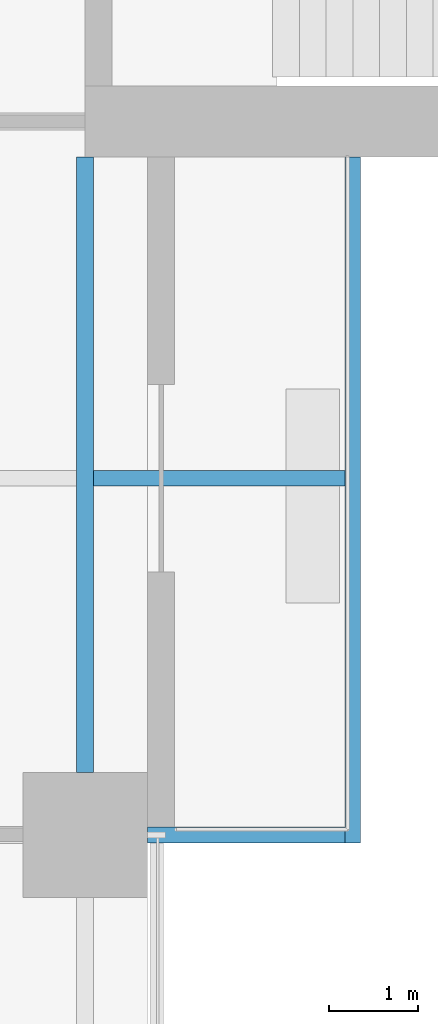
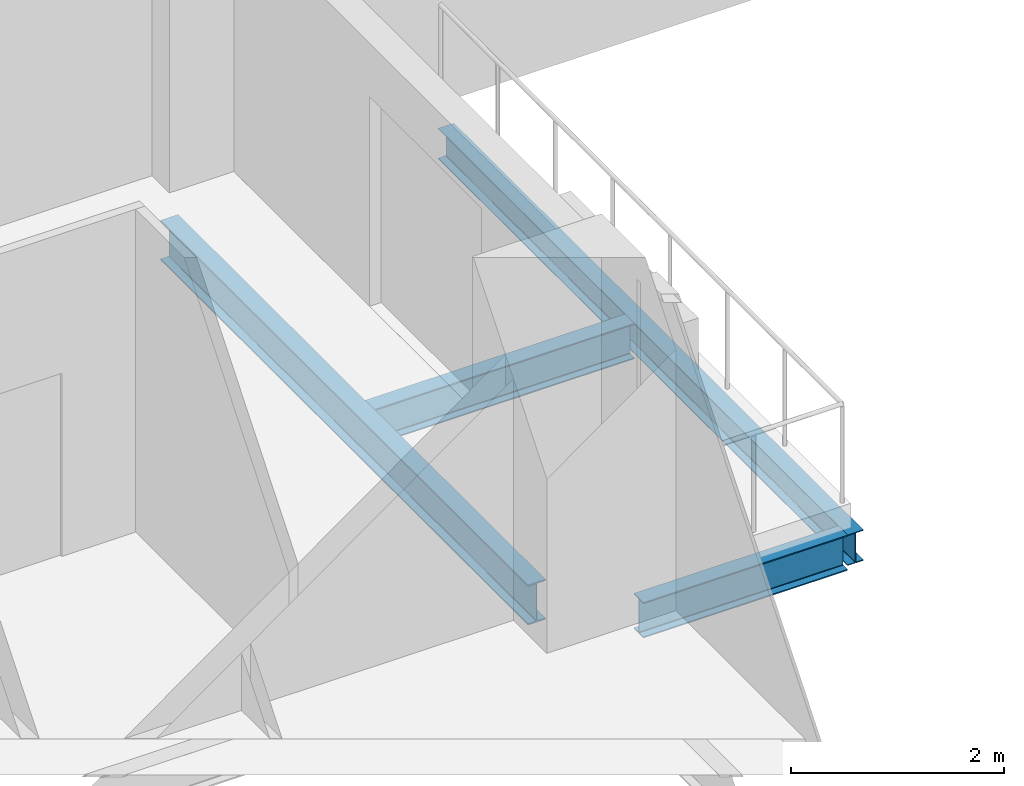
# One storey, part 5 of 27: 4 beams.
"""IFC4 building model written with IfcOpenShell, lengths in metres."""

from ifc_helpers import new_model, si_unit, direction, frame, origin, origin_2d, place, context, subcontext, project, spatial, i_section, extrude, material, material_profile, profile_set, type_object, element, save


model = new_model("IFC4")

# Units and contexts
model_context = context("Model", 3, precision=1e-05, world=origin(), true_north=direction((0.0, 1.0)))
body_context = subcontext(model_context, "Body", "Model", "MODEL_VIEW")
ifc_project = project(units=[si_unit("LENGTHUNIT", "METRE"), si_unit("AREAUNIT", "SQUARE_METRE"), si_unit("VOLUMEUNIT", "CUBIC_METRE"), si_unit("PLANEANGLEUNIT", "RADIAN"), si_unit("MASSUNIT", "GRAM", prefix="KILO")], contexts=[model_context])

# Site, building, storey
site_placement = place(None, origin())
site = spatial("IfcSite", under=ifc_project, at=site_placement, CompositionType="ELEMENT")
building_placement = place(site_placement, origin())
building = spatial("IfcBuilding", under=site, at=building_placement, Name="Crosswind Convention Tower", CompositionType="ELEMENT")
storey_placement = place(building_placement, frame((0.0, 0.0, 79.39990234375)))
storey = spatial("IfcBuildingStorey", under=building, at=storey_placement, Name="L14", CompositionType="ELEMENT", Elevation=79.39990234375)

# Beams
ifc_material = material(Name="Steel S355", Category="steel")
ifc_material_profile_1 = material_profile(ifc_material, i_section(OverallWidth=0.177734375, OverallDepth=0.406494140625, WebThickness=0.0078125, FlangeThickness=0.0126953125, FilletRadius=0.01025390625, at=origin_2d()), Name="UB 406x178x60")
ifc_profile_set_1 = profile_set([ifc_material_profile_1], Name="Steel S355")
beam_type_1 = type_object("IfcBeamType", Name="Balcony cantilever UB 406x178x60", PredefinedType="BEAM", material=ifc_profile_set_1)
beam_1_placement = place(storey_placement, frame((137.09521484375, 84.0, -0.483154296875), z_axis=(1.0, 0.0, 0.0), x_axis=(0.0, 1.0, 0.0)))
element("IfcBeam", 1, at=beam_1_placement, inside=storey, type_object=beam_type_1, Name="B35 L14 balcony cantilever SE 10", PredefinedType="BEAM", context=body_context, shape_type="SweptSolid", body=[
    extrude(i_section(OverallWidth=0.177734375, OverallDepth=0.406494140625, WebThickness=0.0078125, FlangeThickness=0.0126953125, FilletRadius=0.01025390625, at=origin_2d()), origin(), (0.0, 0.0, 1.0), 2.8193359375),
])
beam_2_placement = place(storey_placement, frame((137.699951171875, 80.0, -0.483154296875), z_axis=(1.0, 0.0, 0.0), x_axis=(0.0, 1.0, 0.0)))
element("IfcBeam", 2, at=beam_2_placement, inside=storey, type_object=beam_type_1, Name="B35 L14 balcony cantilever SE 11", PredefinedType="BEAM", context=body_context, shape_type="SweptSolid", body=[
    extrude(i_section(OverallWidth=0.177734375, OverallDepth=0.406494140625, WebThickness=0.0078125, FlangeThickness=0.0126953125, FilletRadius=0.01025390625, at=origin_2d()), origin(), (0.0, 0.0, 1.0), 2.214599609375),
])
ifc_material_profile_2 = material_profile(ifc_material, i_section(OverallWidth=0.1708984375, OverallDepth=0.35205078125, WebThickness=0.0068359375, FlangeThickness=0.009765625, FilletRadius=0.01025390625, at=origin_2d()), Name="UB 356x171x45")
ifc_profile_set_2 = profile_set([ifc_material_profile_2], Name="Steel S355")
beam_type_2 = type_object("IfcBeamType", Name="Balcony edge beam UB 356x171x45", PredefinedType="BEAM", material=ifc_profile_set_2)
beam_3_placement = place(storey_placement, frame((140.0, 87.60009765625, -0.455810546875), z_axis=(0.0, -1.0, 0.0), x_axis=(1.0, 0.0, 0.0)))
element("IfcBeam", 3, at=beam_3_placement, inside=storey, type_object=beam_type_2, Name="B37 L14 balcony edge beam SE 12", PredefinedType="BEAM", context=body_context, shape_type="SweptSolid", body=[
    extrude(i_section(OverallWidth=0.1708984375, OverallDepth=0.35205078125, WebThickness=0.0068359375, FlangeThickness=0.009765625, FilletRadius=0.01025390625, at=origin_2d()), origin(), (0.0, 0.0, 1.0), 7.68896484375),
])
ifc_material_profile_3 = material_profile(ifc_material, i_section(OverallWidth=0.1904296875, OverallDepth=0.457275390625, WebThickness=0.009033203125, FlangeThickness=0.014404296875, FilletRadius=0.01025390625, at=origin_2d()), Name="UB 457x191x75")
ifc_profile_set_3 = profile_set([ifc_material_profile_3], Name="Steel S355")
beam_type_3 = type_object("IfcBeamType", Name="Edge beam UB 457x191x75", PredefinedType="SPANDREL", material=ifc_profile_set_3)
beam_4_placement = place(storey_placement, frame((137.0, 80.699951171875, -0.508544921875), z_axis=(0.0, 1.0, 0.0), x_axis=(-1.0, 0.0, 0.0)))
element("IfcBeam", 4, at=beam_4_placement, inside=storey, type_object=beam_type_3, Name="B17 L14 edge beam 20", PredefinedType="SPANDREL", context=body_context, shape_type="SweptSolid", body=[
    extrude(i_section(OverallWidth=0.1904296875, OverallDepth=0.457275390625, WebThickness=0.009033203125, FlangeThickness=0.014404296875, FilletRadius=0.01025390625, at=origin_2d()), origin(), (0.0, 0.0, 1.0), 6.900146484375),
])

save(model, "model.ifc")
